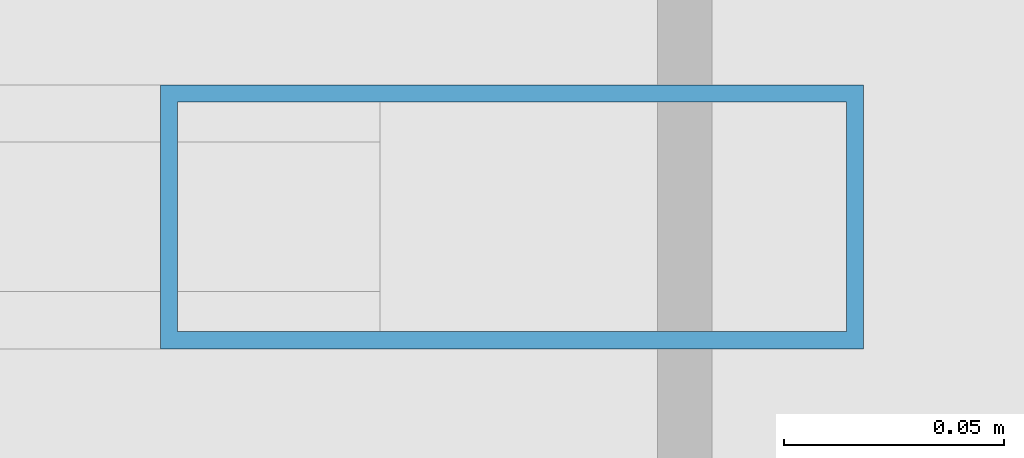
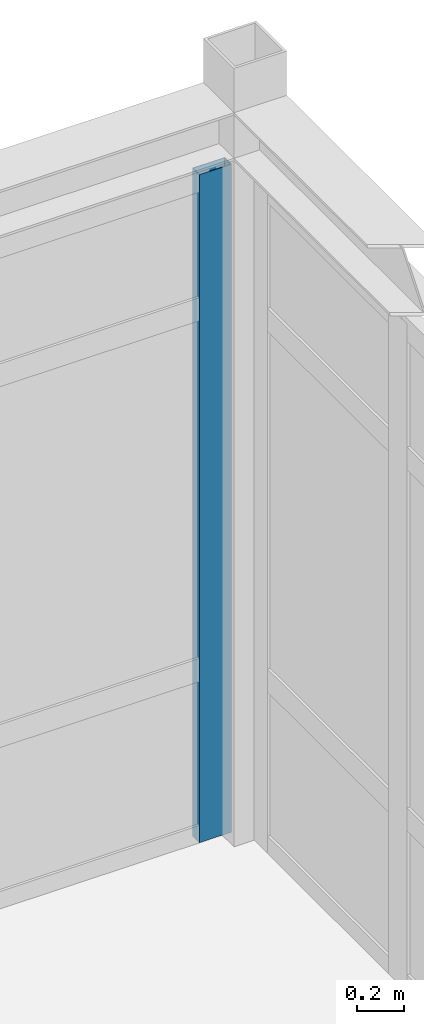
# One storey, part 82 of 189: 1 member, 1 element without a shape of its own.
"""IFC4 building model written with IfcOpenShell, lengths in metres."""

from ifc_helpers import new_model, si_unit, direction, frame, origin, origin_2d, place, context, subcontext, project, spatial, hollow_rectangle, extrude, material, layer, layer_set, material_profile, profile_set, type_object, element, aggregate, save


model = new_model("IFC4")

# Units and contexts
model_context = context("Model", 3, precision=1e-05, world=origin(), true_north=direction((0.0, 1.0)))
body_context = subcontext(model_context, "Body", "Model", "MODEL_VIEW")
ifc_project = project(units=[si_unit("LENGTHUNIT", "METRE"), si_unit("AREAUNIT", "SQUARE_METRE"), si_unit("VOLUMEUNIT", "CUBIC_METRE"), si_unit("PLANEANGLEUNIT", "RADIAN"), si_unit("MASSUNIT", "GRAM", prefix="KILO")], contexts=[model_context])

# Site, building, storey
site_placement = place(None, origin())
site = spatial("IfcSite", under=ifc_project, at=site_placement, CompositionType="ELEMENT")
building_placement = place(site_placement, origin())
building = spatial("IfcBuilding", under=site, at=building_placement, Name="Montecoro Central Library", CompositionType="ELEMENT")
storey_placement = place(building_placement, frame((0.0, 0.0, 9.179931640625)))
storey = spatial("IfcBuildingStorey", under=building, at=storey_placement, Name="L02", CompositionType="ELEMENT", Elevation=9.179931640625)

# Curtain wall, member
ifc_material_1 = material(Name="Bronze-anodised aluminium and low-E glazing", Category="aluminium")
ifc_layer = layer(ifc_material_1, 0.159912109375)
ifc_layer_set = layer_set([ifc_layer], Name="Bronze-anodised aluminium and low-E glazing")
curtain_wall_type = type_object("IfcCurtainWallType", Name="CWT-048", PredefinedType="NOTDEFINED", material=ifc_layer_set)
curtain_wall_placement = place(storey_placement, origin())
curtain_wall = element("IfcCurtainWall", 1, at=curtain_wall_placement, inside=storey, type_object=curtain_wall_type, Name="V4-L02-CW-N4", PredefinedType="NOTDEFINED")
ifc_material_2 = material(Name="Bronze-anodised aluminium", Category="aluminium")
ifc_material_profile = material_profile(ifc_material_2, hollow_rectangle(XDim=0.06005859375, YDim=0.159912109375, WallThickness=0.00390625, at=origin_2d()), Name="CWM 160x60x4.0")
ifc_profile_set = profile_set([ifc_material_profile], Name="Bronze-anodised aluminium")
member_type = type_object("IfcMemberType", Name="CWM-BRZ-60", PredefinedType="MULLION", material=ifc_profile_set)
member_placement = place(storey_placement, frame((42.8369140625, 111.39990234375, 0.0), z_axis=(0.0, 0.0, 1.0), x_axis=(0.0, -1.0, 0.0)))
member = element("IfcMember", 2, at=member_placement, type_object=member_type, Name="CW-048 mullion 1", PredefinedType="MULLION", context=body_context, shape_type="SweptSolid", body=[
    extrude(hollow_rectangle(XDim=0.06005859375, YDim=0.159912109375, WallThickness=0.00390625, at=origin_2d()), origin(), (0.0, 0.0, 1.0), 3.47998046875),
])
aggregate(curtain_wall, [member])

save(model, "model.ifc")
